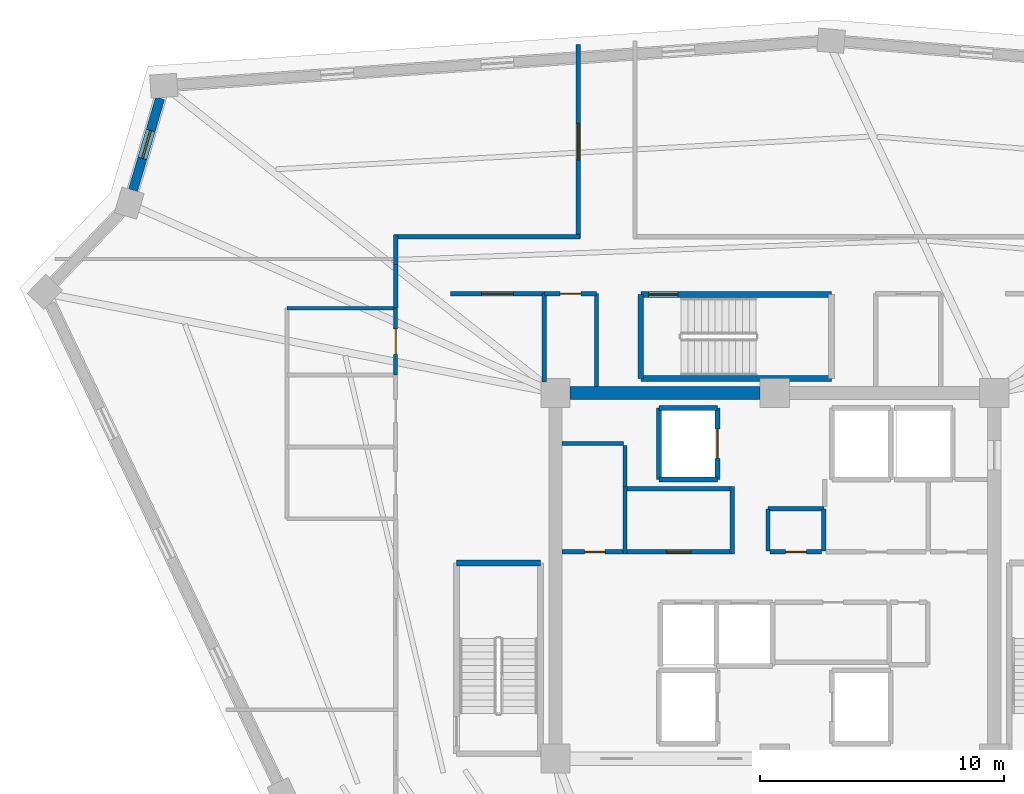
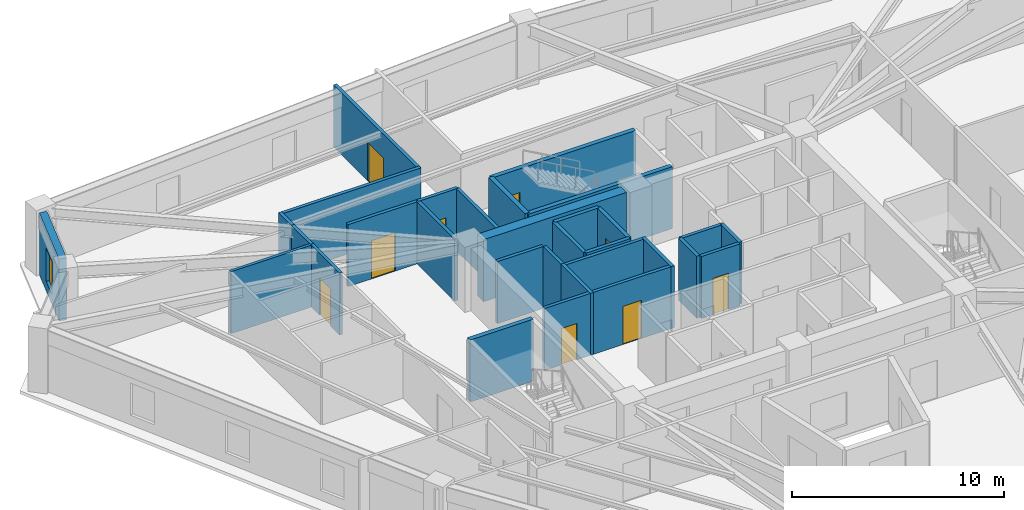
# One storey, part 5 of 8: 31 walls, 9 doors, 1 window, 10 openings.
"""IFC4 building model written with IfcOpenShell, lengths in metres."""

from ifc_helpers import new_model, si_unit, direction, frame, frame_2d, origin, place, context, subcontext, project, spatial, rectangle, extrude, source, transform, mapped, material, layer, layer_set, type_object, element, fill, save


model = new_model("IFC4")

# Units and contexts
model_context = context("Model", 3, precision=1e-05, world=origin(), true_north=direction((0.0, 1.0)))
body_context = subcontext(model_context, "Body", "Model", "MODEL_VIEW")
ifc_project = project(units=[si_unit("LENGTHUNIT", "METRE"), si_unit("AREAUNIT", "SQUARE_METRE"), si_unit("VOLUMEUNIT", "CUBIC_METRE"), si_unit("PLANEANGLEUNIT", "RADIAN"), si_unit("MASSUNIT", "GRAM", prefix="KILO")], contexts=[model_context])

# Site, building, storey
site_placement = place(None, origin())
site = spatial("IfcSite", under=ifc_project, at=site_placement, CompositionType="ELEMENT")
building_placement = place(site_placement, origin())
building = spatial("IfcBuilding", under=site, at=building_placement, Name="Liaohun Quay Tower", CompositionType="ELEMENT")
storey_placement = place(building_placement, frame((0.0, 0.0, 316.5)))
storey = spatial("IfcBuildingStorey", under=building, at=storey_placement, Name="L82", CompositionType="ELEMENT", Elevation=316.5)

# Wall
ifc_material_1 = material(Name="Concrete C50", Category="concrete")
ifc_layer_1 = layer(ifc_material_1, 0.550048828125, Name="Concrete C50", Category="concrete")
ifc_layer_set_1 = layer_set([ifc_layer_1], Name="Concrete C50")
wall_type_1 = type_object("IfcWallType", Name="WAL-COR-Z4", PredefinedType="SHEAR", material=ifc_layer_set_1)
wall_1_placement = place(storey_placement, frame((51.60009765625, 61.5, 0.0), z_axis=(0.0, 0.0, 1.0), x_axis=(1.0, 0.0, 0.0)))
element("IfcWall", 1, at=wall_1_placement, inside=storey, type_object=wall_type_1, Name="L82 Central Core Shear Wall N-W", PredefinedType="SHEAR", context=body_context, shape_type="SweptSolid", body=[
    extrude(rectangle(XDim=7.7998046875, YDim=0.550048828125, at=frame_2d((3.89990234375, 0.0))), origin(), (0.0, 0.0, 1.0), 3.570068359375),
])

# Wall, opening, window
ifc_material_2 = material(Name="Precast concrete C50 insulated sandwich", Category="concrete")
ifc_layer_2 = layer(ifc_material_2, 0.3798828125, Name="Precast concrete C50 insulated sandwich", Category="concrete")
ifc_layer_set_2 = layer_set([ifc_layer_2], Name="Precast concrete C50 insulated sandwich")
wall_type_2 = type_object("IfcWallType", Name="WAL-EXT-Z34", PredefinedType="SOLIDWALL", material=ifc_layer_set_2)
wall_2_placement = place(storey_placement, frame((34.77197265625, 73.591064453125, 0.0), z_axis=(0.0, 0.0, 1.0), x_axis=(-0.282434871617, -0.959286476134, 0.0)))
wall_2 = element("IfcWall", 2, at=wall_2_placement, inside=storey, type_object=wall_type_2, Name="L82 Brutalist Precast Pier Wall 08", PredefinedType="SOLIDWALL", context=body_context, shape_type="SweptSolid", body=[
    extrude(rectangle(XDim=3.9375, YDim=0.3798828125, at=frame_2d((1.96875, 0.0))), origin(), (0.0, 0.0, 1.0), 3.570068359375),
])
shared_shape_1 = source(origin(), body_context, "Body", "SweptSolid", [
    extrude(rectangle(XDim=1.199951171875, YDim=1.89990234375, at=frame_2d((0.60009765625, 0.949951171875))), frame((0.0, 0.199951171875, 0.0), z_axis=(0.0, -1.0, 0.0), x_axis=(1.0, 0.0, 0.0)), (0.0, 0.0, 1.0), 0.39990234375),
])
opening_1_placement = place(wall_2_placement, frame((1.368896484375, 0.0, 0.550048828125)))
opening_1 = element("IfcOpeningElement", 3, at=opening_1_placement, cuts=wall_2, Name="Opening W05", PredefinedType="OPENING", context=body_context, shape_type="MappedRepresentation", body=[
    mapped(shared_shape_1, transform((0.0, 0.0, 0.0), x_axis=(1.0, 0.0, 0.0), y_axis=(0.0, 1.0, 0.0), z_axis=(0.0, 0.0, 1.0), scale=1.0)),
])
ifc_material_3 = material(Name="Triple Low-E corner notch glazing", Category="glass")
window_type = type_object("IfcWindowType", Name="WIN-NOTCH", PartitioningType="SINGLE_PANEL", PredefinedType="WINDOW", material=ifc_material_3)
shared_shape_2 = source(origin(), body_context, "Body", "SweptSolid", [
    extrude(rectangle(XDim=1.199951171875, YDim=1.89990234375, at=frame_2d((0.60009765625, 0.949951171875))), frame((0.0, 0.030029296875, 0.0), z_axis=(0.0, -1.0, 0.0), x_axis=(1.0, 0.0, 0.0)), (0.0, 0.0, 1.0), 0.06005859375),
])
window_placement = place(opening_1_placement, origin())
window = element("IfcWindow", 4, at=window_placement, inside=storey, type_object=window_type, Name="L82 Corner Notch Window W05-08", OverallHeight=1.89990234375, OverallWidth=1.199951171875, PartitioningType="SINGLE_PANEL", PredefinedType="WINDOW", context=body_context, shape_type="MappedRepresentation", body=[
    mapped(shared_shape_2, transform((0.0, 0.0, 0.0), x_axis=(1.0, 0.0, 0.0), y_axis=(0.0, 1.0, 0.0), z_axis=(0.0, 0.0, 1.0), scale=1.0)),
])
fill(opening_1, window)

# Wall, opening, door
ifc_material_4 = material(Name="Autoclaved aerated concrete blockwork", Category="masonry")
ifc_layer_3 = layer(ifc_material_4, 0.179931640625, Name="Autoclaved aerated concrete blockwork", Category="masonry")
ifc_layer_set_3 = layer_set([ifc_layer_3], Name="Autoclaved aerated concrete blockwork")
wall_type_3 = type_object("IfcWallType", Name="WAL-PRT-COR", PredefinedType="PARTITIONING", material=ifc_layer_set_3)
wall_3_placement = place(storey_placement, frame((53.93994140625, 54.97998046875, 0.0), z_axis=(0.0, 0.0, 1.0), x_axis=(1.0, 0.0, 0.0)))
wall_3 = element("IfcWall", 5, at=wall_3_placement, inside=storey, type_object=wall_type_3, Name="L82 Interior Partition Wall 002", PredefinedType="PARTITIONING", context=body_context, shape_type="SweptSolid", body=[
    extrude(rectangle(XDim=4.219970703125, YDim=0.179931640625, at=frame_2d((2.10986328125, 0.0))), origin(), (0.0, 0.0, 1.0), 3.570068359375),
])
shared_shape_3 = source(origin(), body_context, "Body", "SweptSolid", [
    extrude(rectangle(XDim=1.0, YDim=2.199951171875, at=frame_2d((0.5, 1.10009765625))), frame((0.0, 0.099853515625, 0.0), z_axis=(0.0, -1.0, 0.0), x_axis=(1.0, 0.0, 0.0)), (0.0, 0.0, 1.0), 0.199951171875),
])
opening_2_placement = place(wall_3_placement, frame((1.610107421875, 0.0, 0.0)))
opening_2 = element("IfcOpeningElement", 6, at=opening_2_placement, cuts=wall_3, Name="Opening OD1", PredefinedType="OPENING", context=body_context, shape_type="MappedRepresentation", body=[
    mapped(shared_shape_3, transform((0.0, 0.0, 0.0), x_axis=(1.0, 0.0, 0.0), y_axis=(0.0, 1.0, 0.0), z_axis=(0.0, 0.0, 1.0), scale=1.0)),
])
ifc_material_5 = material(Name="Solid-core oak veneer timber leaf in steel frame", Category="steel")
door_type_1 = type_object("IfcDoorType", Name="DOR-OFF-1000", OperationType="NOTDEFINED", PredefinedType="DOOR", material=ifc_material_5)
shared_shape_4 = source(origin(), body_context, "Body", "SweptSolid", [
    extrude(rectangle(XDim=1.0, YDim=2.199951171875, at=frame_2d((0.5, 1.10009765625))), frame((0.0, 0.02490234375, 0.0), z_axis=(0.0, -1.0, 0.0), x_axis=(1.0, 0.0, 0.0)), (0.0, 0.0, 1.0), 0.050048828125),
])
door_1_placement = place(opening_2_placement, origin())
door_1 = element("IfcDoor", 7, at=door_1_placement, inside=storey, type_object=door_type_1, Name="L82 Core Staff Pantry and Tea Room Door", OperationType="SINGLE_SWING_RIGHT", OverallHeight=2.199951171875, OverallWidth=1.0, PredefinedType="DOOR", context=body_context, shape_type="MappedRepresentation", body=[
    mapped(shared_shape_4, transform((0.0, 0.0, 0.0), x_axis=(1.0, 0.0, 0.0), y_axis=(0.0, 1.0, 0.0), z_axis=(0.0, 0.0, 1.0), scale=1.0)),
])
fill(opening_2, door_1)

wall_4_placement = place(storey_placement, frame((51.27490234375, 54.97998046875, 0.0), z_axis=(0.0, 0.0, 1.0), x_axis=(1.0, 0.0, 0.0)))
wall_4 = element("IfcWall", 8, at=wall_4_placement, inside=storey, type_object=wall_type_3, Name="L82 Interior Partition Wall 003", PredefinedType="PARTITIONING", context=body_context, shape_type="SweptSolid", body=[
    extrude(rectangle(XDim=2.485107421875, YDim=0.179931640625, at=frame_2d((1.24267578125, 0.0))), origin(), (0.0, 0.0, 1.0), 3.570068359375),
])
shared_shape_5 = source(origin(), body_context, "Body", "SweptSolid", [
    extrude(rectangle(XDim=0.85009765625, YDim=2.10009765625, at=frame_2d((0.425048828125, 1.050048828125))), frame((0.0, 0.099853515625, 0.0), z_axis=(0.0, -1.0, 0.0), x_axis=(1.0, 0.0, 0.0)), (0.0, 0.0, 1.0), 0.199951171875),
])
opening_3_placement = place(wall_4_placement, frame((0.9150390625, 0.0, 0.0)))
opening_3 = element("IfcOpeningElement", 9, at=opening_3_placement, cuts=wall_4, Name="Opening AD1", PredefinedType="OPENING", context=body_context, shape_type="MappedRepresentation", body=[
    mapped(shared_shape_5, transform((0.0, 0.0, 0.0), x_axis=(1.0, 0.0, 0.0), y_axis=(0.0, 1.0, 0.0), z_axis=(0.0, 0.0, 1.0), scale=1.0)),
])
ifc_material_6 = material(Name="Steel riser inspection fire door", Category="steel")
door_type_2 = type_object("IfcDoorType", Name="DOR-SHF-850", OperationType="NOTDEFINED", PredefinedType="DOOR", material=ifc_material_6)
shared_shape_6 = source(origin(), body_context, "Body", "SweptSolid", [
    extrude(rectangle(XDim=0.85009765625, YDim=2.10009765625, at=frame_2d((0.425048828125, 1.050048828125))), frame((0.0, 0.02490234375, 0.0), z_axis=(0.0, -1.0, 0.0), x_axis=(1.0, 0.0, 0.0)), (0.0, 0.0, 1.0), 0.050048828125),
])
door_2_placement = place(opening_3_placement, origin())
door_2 = element("IfcDoor", 10, at=door_2_placement, inside=storey, type_object=door_type_2, Name="L82 Core High-Zone Archive and Riser Store Door", OperationType="SINGLE_SWING_LEFT", OverallHeight=2.10009765625, OverallWidth=0.85009765625, PredefinedType="DOOR", context=body_context, shape_type="MappedRepresentation", body=[
    mapped(shared_shape_6, transform((0.0, 0.0, 0.0), x_axis=(1.0, 0.0, 0.0), y_axis=(0.0, 1.0, 0.0), z_axis=(0.0, 0.0, 1.0), scale=1.0)),
])
fill(opening_3, door_2)

wall_5_placement = place(storey_placement, frame((59.81005859375, 54.97998046875, 0.0), z_axis=(0.0, 0.0, 1.0), x_axis=(1.0, 0.0, 0.0)))
wall_5 = element("IfcWall", 11, at=wall_5_placement, inside=storey, type_object=wall_type_3, Name="L82 Interior Partition Wall 006", PredefinedType="PARTITIONING", context=body_context, shape_type="SweptSolid", body=[
    extrude(rectangle(XDim=2.10986328125, YDim=0.179931640625, at=frame_2d((1.054931640625, 0.0))), origin(), (0.0, 0.0, 1.0), 3.570068359375),
])
opening_4_placement = place(wall_5_placement, frame((0.635009765625, 0.0, 0.0)))
opening_4 = element("IfcOpeningElement", 12, at=opening_4_placement, cuts=wall_5, Name="Opening AD1", PredefinedType="OPENING", context=body_context, shape_type="MappedRepresentation", body=[
    mapped(shared_shape_5, transform((0.0, 0.0, 0.0), x_axis=(1.0, 0.0, 0.0), y_axis=(0.0, 1.0, 0.0), z_axis=(0.0, 0.0, 1.0), scale=1.0)),
])
door_3_placement = place(opening_4_placement, origin())
door_3 = element("IfcDoor", 13, at=door_3_placement, inside=storey, type_object=door_type_2, Name="L82 Electrical Meter Room Door", OperationType="SINGLE_SWING_RIGHT", OverallHeight=2.10009765625, OverallWidth=0.85009765625, PredefinedType="DOOR", context=body_context, shape_type="MappedRepresentation", body=[
    mapped(shared_shape_6, transform((0.0, 0.0, 0.0), x_axis=(1.0, 0.0, 0.0), y_axis=(0.0, 1.0, 0.0), z_axis=(0.0, 0.0, 1.0), scale=1.0)),
])
fill(opening_4, door_3)

wall_6_placement = place(storey_placement, frame((50.5400390625, 65.580078125, 0.0), z_axis=(0.0, 0.0, 1.0), x_axis=(1.0, 0.0, 0.0)))
wall_6 = element("IfcWall", 14, at=wall_6_placement, inside=storey, type_object=wall_type_3, Name="L82 Interior Partition Wall 011", PredefinedType="PARTITIONING", context=body_context, shape_type="SweptSolid", body=[
    extrude(rectangle(XDim=2.139892578125, YDim=0.179931640625, at=frame_2d((1.06982421875, 0.0))), origin(), (0.0, 0.0, 1.0), 3.570068359375),
])
opening_5_placement = place(wall_6_placement, frame((0.64501953125, 0.0, 0.0)))
opening_5 = element("IfcOpeningElement", 15, at=opening_5_placement, cuts=wall_6, Name="Opening AD1", PredefinedType="OPENING", context=body_context, shape_type="MappedRepresentation", body=[
    mapped(shared_shape_5, transform((0.0, 0.0, 0.0), x_axis=(1.0, 0.0, 0.0), y_axis=(0.0, 1.0, 0.0), z_axis=(0.0, 0.0, 1.0), scale=1.0)),
])
door_4_placement = place(opening_5_placement, origin())
door_4 = element("IfcDoor", 16, at=door_4_placement, inside=storey, type_object=door_type_2, Name="L82 North-West Supply Store Door", OperationType="SINGLE_SWING_LEFT", OverallHeight=2.10009765625, OverallWidth=0.85009765625, PredefinedType="DOOR", context=body_context, shape_type="MappedRepresentation", body=[
    mapped(shared_shape_6, transform((0.0, 0.0, 0.0), x_axis=(1.0, 0.0, 0.0), y_axis=(0.0, 1.0, 0.0), z_axis=(0.0, 0.0, 1.0), scale=1.0)),
])
fill(opening_5, door_4)

wall_7_placement = place(storey_placement, frame((46.699951171875, 65.580078125, 0.0), z_axis=(0.0, 0.0, 1.0), x_axis=(1.0, 0.0, 0.0)))
wall_7 = element("IfcWall", 17, at=wall_7_placement, inside=storey, type_object=wall_type_3, Name="L82 Interior Partition Wall 013", PredefinedType="PARTITIONING", context=body_context, shape_type="SweptSolid", body=[
    extrude(rectangle(XDim=3.840087890625, YDim=0.179931640625, at=frame_2d((1.919921875, 0.0))), origin(), (0.0, 0.0, 1.0), 3.570068359375),
])
shared_shape_7 = source(origin(), body_context, "Body", "SweptSolid", [
    extrude(rectangle(XDim=1.300048828125, YDim=2.199951171875, at=frame_2d((0.64990234375, 1.10009765625))), frame((0.0, 0.099853515625, 0.0), z_axis=(0.0, -1.0, 0.0), x_axis=(1.0, 0.0, 0.0)), (0.0, 0.0, 1.0), 0.199951171875),
])
opening_6_placement = place(wall_7_placement, frame((1.27001953125, 0.0, 0.0)))
opening_6 = element("IfcOpeningElement", 18, at=opening_6_placement, cuts=wall_7, Name="Opening FD1", PredefinedType="OPENING", context=body_context, shape_type="MappedRepresentation", body=[
    mapped(shared_shape_7, transform((0.0, 0.0, 0.0), x_axis=(1.0, 0.0, 0.0), y_axis=(0.0, 1.0, 0.0), z_axis=(0.0, 0.0, 1.0), scale=1.0)),
])
ifc_material_7 = material(Name="Galvanised steel smokeproof fire door", Category="steel")
door_type_3 = type_object("IfcDoorType", Name="DOR-FFL-1300", OperationType="NOTDEFINED", PredefinedType="DOOR", material=ifc_material_7)
shared_shape_8 = source(origin(), body_context, "Body", "SweptSolid", [
    extrude(rectangle(XDim=1.300048828125, YDim=2.199951171875, at=frame_2d((0.64990234375, 1.10009765625))), frame((0.0, 0.02490234375, 0.0), z_axis=(0.0, -1.0, 0.0), x_axis=(1.0, 0.0, 0.0)), (0.0, 0.0, 1.0), 0.050048828125),
])
door_5_placement = place(opening_6_placement, origin())
door_5 = element("IfcDoor", 19, at=door_5_placement, inside=storey, type_object=door_type_3, Name="L82 West Core Vestibule Door", OperationType="SINGLE_SWING_LEFT", OverallHeight=2.199951171875, OverallWidth=1.300048828125, PredefinedType="DOOR", context=body_context, shape_type="MappedRepresentation", body=[
    mapped(shared_shape_8, transform((0.0, 0.0, 0.0), x_axis=(1.0, 0.0, 0.0), y_axis=(0.0, 1.0, 0.0), z_axis=(0.0, 0.0, 1.0), scale=1.0)),
])
fill(opening_6, door_5)

wall_8_placement = place(storey_placement, frame((51.93994140625, 67.840087890625, 0.0), z_axis=(0.0, 0.0, 1.0), x_axis=(0.0, 1.0, 0.0)))
wall_8 = element("IfcWall", 20, at=wall_8_placement, inside=storey, type_object=wall_type_3, Name="L82 Interior Partition Wall 018", PredefinedType="PARTITIONING", context=body_context, shape_type="SweptSolid", body=[
    extrude(rectangle(XDim=7.95703125, YDim=0.179931640625, at=frame_2d((3.978515625, 0.0))), origin(), (0.0, 0.0, 1.0), 3.570068359375),
])
shared_shape_9 = source(origin(), body_context, "Body", "SweptSolid", [
    extrude(rectangle(XDim=1.5, YDim=2.199951171875, at=frame_2d((0.75, 1.10009765625))), frame((0.0, 0.099853515625, 0.0), z_axis=(0.0, -1.0, 0.0), x_axis=(1.0, 0.0, 0.0)), (0.0, 0.0, 1.0), 0.199951171875),
])
opening_7_placement = place(wall_8_placement, frame((3.22802734375, 0.0, 0.0)))
opening_7 = element("IfcOpeningElement", 21, at=opening_7_placement, cuts=wall_8, Name="Opening OD2", PredefinedType="OPENING", context=body_context, shape_type="MappedRepresentation", body=[
    mapped(shared_shape_9, transform((0.0, 0.0, 0.0), x_axis=(1.0, 0.0, 0.0), y_axis=(0.0, 1.0, 0.0), z_axis=(0.0, 0.0, 1.0), scale=1.0)),
])
ifc_material_8 = material(Name="Acoustic oak veneer double door")
door_type_4 = type_object("IfcDoorType", Name="DOR-OFF-1500", OperationType="DOUBLE_DOOR_SINGLE_SWING", PredefinedType="DOOR", material=ifc_material_8)
shared_shape_10 = source(origin(), body_context, "Body", "SweptSolid", [
    extrude(rectangle(XDim=1.5, YDim=2.199951171875, at=frame_2d((0.75, 1.10009765625))), frame((0.0, 0.02490234375, 0.0), z_axis=(0.0, -1.0, 0.0), x_axis=(1.0, 0.0, 0.0)), (0.0, 0.0, 1.0), 0.050048828125),
])
door_6_placement = place(opening_7_placement, origin())
door_6 = element("IfcDoor", 22, at=door_6_placement, inside=storey, type_object=door_type_4, Name="L82 Project Collaboration Studio 04 Door", OperationType="DOUBLE_DOOR_SINGLE_SWING", OverallHeight=2.199951171875, OverallWidth=1.5, PredefinedType="DOOR", context=body_context, shape_type="MappedRepresentation", body=[
    mapped(shared_shape_10, transform((0.0, 0.0, 0.0), x_axis=(1.0, 0.0, 0.0), y_axis=(0.0, 1.0, 0.0), z_axis=(0.0, 0.0, 1.0), scale=1.0)),
])
fill(opening_7, door_6)

# Walls
wall_9_placement = place(storey_placement, frame((51.27490234375, 59.429931640625, 0.0), z_axis=(0.0, 0.0, 1.0), x_axis=(1.0, 0.0, 0.0)))
element("IfcWall", 23, at=wall_9_placement, inside=storey, type_object=wall_type_3, Name="L82 Interior Partition Wall 024", PredefinedType="PARTITIONING", context=body_context, shape_type="SweptSolid", body=[
    extrude(rectangle(XDim=2.505126953125, YDim=0.179931640625, at=frame_2d((1.25244140625, 0.0))), origin(), (0.0, 0.0, 1.0), 3.570068359375),
])
for number, where, z_axis, x_axis, name in (
    (24, (59.719970703125, 55.02001953125, 0.0), (0.0, 0.0, 1.0), (0.0, 1.0, 0.0), "L82 Interior Partition Wall 026"),
    (25, (62.010009765625, 55.02001953125, 0.0), (0.0, 0.0, 1.0), (0.0, 1.0, 0.0), "L82 Interior Partition Wall 027"),
):
    element("IfcWall", number, at=place(storey_placement, frame(where, z_axis=z_axis, x_axis=x_axis)), inside=storey, type_object=wall_type_3, Name=name, PredefinedType="PARTITIONING", context=body_context, shape_type="SweptSolid", body=[
        extrude(rectangle(XDim=1.72998046875, YDim=0.179931640625, at=frame_2d((0.864990234375, 0.0))), origin(), (0.0, 0.0, 1.0), 3.570068359375),
    ])
wall_10_placement = place(storey_placement, frame((59.719970703125, 56.75, 0.0), z_axis=(0.0, 0.0, 1.0), x_axis=(1.0, 0.0, 0.0)))
element("IfcWall", 26, at=wall_10_placement, inside=storey, type_object=wall_type_3, Name="L82 Interior Partition Wall 028", PredefinedType="PARTITIONING", context=body_context, shape_type="SweptSolid", body=[
    extrude(rectangle(XDim=2.2900390625, YDim=0.179931640625, at=frame_2d((1.14501953125, 0.0))), origin(), (0.0, 0.0, 1.0), 3.570068359375),
])
wall_11_placement = place(storey_placement, frame((50.5400390625, 61.949951171875, 0.0), z_axis=(0.0, 0.0, 1.0), x_axis=(0.0, 1.0, 0.0)))
element("IfcWall", 27, at=wall_11_placement, inside=storey, type_object=wall_type_3, Name="L82 Interior Partition Wall 037", PredefinedType="PARTITIONING", context=body_context, shape_type="SweptSolid", body=[
    extrude(rectangle(XDim=3.630126953125, YDim=0.179931640625, at=frame_2d((1.81494140625, 0.0))), origin(), (0.0, 0.0, 1.0), 3.570068359375),
])
wall_12_placement = place(storey_placement, frame((52.679931640625, 61.77490234375, 0.0), z_axis=(0.0, 0.0, 1.0), x_axis=(0.0, 1.0, 0.0)))
element("IfcWall", 28, at=wall_12_placement, inside=storey, type_object=wall_type_3, Name="L82 Interior Partition Wall 038", PredefinedType="PARTITIONING", context=body_context, shape_type="SweptSolid", body=[
    extrude(rectangle(XDim=3.80517578125, YDim=0.179931640625, at=frame_2d((1.902587890625, 0.0))), origin(), (0.0, 0.0, 1.0), 3.570068359375),
])
wall_13_placement = place(storey_placement, frame((44.3701171875, 67.909912109375, 0.0), z_axis=(0.0, 0.0, 1.0), x_axis=(1.0, 0.0, 0.0)))
element("IfcWall", 29, at=wall_13_placement, inside=storey, type_object=wall_type_3, Name="L82 Interior Partition Wall 044", PredefinedType="PARTITIONING", context=body_context, shape_type="SweptSolid", body=[
    extrude(rectangle(XDim=7.639892578125, YDim=0.179931640625, at=frame_2d((3.81982421875, 0.0))), origin(), (0.0, 0.0, 1.0), 3.570068359375),
])
wall_14_placement = place(storey_placement, frame((44.43994140625, 66.784912109375, 0.0), z_axis=(0.0, 0.0, 1.0), x_axis=(0.0, 1.0, 0.0)))
element("IfcWall", 30, at=wall_14_placement, inside=storey, type_object=wall_type_3, Name="L82 Interior Partition Wall 045", PredefinedType="PARTITIONING", context=body_context, shape_type="SweptSolid", body=[
    extrude(rectangle(XDim=1.195068359375, YDim=0.179931640625, at=frame_2d((0.59765625, 0.0))), origin(), (0.0, 0.0, 1.0), 3.570068359375),
])
wall_15_placement = place(storey_placement, frame((44.43994140625, 64.97998046875, 0.0), z_axis=(0.0, 0.0, 1.0), x_axis=(0.0, 1.0, 0.0)))
element("IfcWall", 31, at=wall_15_placement, inside=storey, type_object=wall_type_3, Name="L82 Interior Partition Wall 046", PredefinedType="PARTITIONING", context=body_context, shape_type="SweptSolid", body=[
    extrude(rectangle(XDim=1.804931640625, YDim=0.179931640625, at=frame_2d((0.90234375, 0.0))), origin(), (0.0, 0.0, 1.0), 3.570068359375),
])
for number, where, z_axis, x_axis, name in (
    (32, (53.85009765625, 54.889892578125, 0.0), (0.0, 0.0, 1.0), (0.0, 1.0, 0.0), "L82 Interior Partition Wall 058"),
    (33, (58.25, 54.889892578125, 0.0), (0.0, 0.0, 1.0), (0.0, 1.0, 0.0), "L82 Interior Partition Wall 059"),
):
    element("IfcWall", number, at=place(storey_placement, frame(where, z_axis=z_axis, x_axis=x_axis)), inside=storey, type_object=wall_type_3, Name=name, PredefinedType="PARTITIONING", context=body_context, shape_type="SweptSolid", body=[
        extrude(rectangle(XDim=2.780029296875, YDim=0.179931640625, at=frame_2d((1.39013671875, 0.0))), origin(), (0.0, 0.0, 1.0), 3.570068359375),
    ])
wall_16_placement = place(storey_placement, frame((53.93994140625, 57.580078125, 0.0), z_axis=(0.0, 0.0, 1.0), x_axis=(1.0, 0.0, 0.0)))
element("IfcWall", 34, at=wall_16_placement, inside=storey, type_object=wall_type_3, Name="L82 Interior Partition Wall 060", PredefinedType="PARTITIONING", context=body_context, shape_type="SweptSolid", body=[
    extrude(rectangle(XDim=4.219970703125, YDim=0.179931640625, at=frame_2d((2.10986328125, 0.0))), origin(), (0.0, 0.0, 1.0), 3.570068359375),
])
wall_17_placement = place(storey_placement, frame((53.85009765625, 57.669921875, 0.0), z_axis=(0.0, 0.0, 1.0), x_axis=(0.0, 1.0, 0.0)))
element("IfcWall", 35, at=wall_17_placement, inside=storey, type_object=wall_type_3, Name="L82 Interior Partition Wall 061", PredefinedType="PARTITIONING", context=body_context, shape_type="SweptSolid", body=[
    extrude(rectangle(XDim=1.670166015625, YDim=0.179931640625, at=frame_2d((0.8349609375, 0.0))), origin(), (0.0, 0.0, 1.0), 3.570068359375),
])

# Wall, opening, door
ifc_material_9 = material(Name="Moisture-resistant masonry blockwork", Category="masonry")
ifc_layer_4 = layer(ifc_material_9, 0.159912109375, Name="Moisture-resistant masonry blockwork", Category="masonry")
ifc_layer_set_4 = layer_set([ifc_layer_4], Name="Moisture-resistant masonry blockwork")
wall_type_4 = type_object("IfcWallType", Name="WAL-PRT-WET", PredefinedType="PARTITIONING", material=ifc_layer_set_4)
wall_18_placement = place(storey_placement, frame((44.43994140625, 62.239990234375, 0.0), z_axis=(0.0, 0.0, 1.0), x_axis=(0.0, 1.0, 0.0)))
wall_18 = element("IfcWall", 36, at=wall_18_placement, inside=storey, type_object=wall_type_4, Name="L82 Interior Partition Wall 010", PredefinedType="PARTITIONING", context=body_context, shape_type="SweptSolid", body=[
    extrude(rectangle(XDim=2.739990234375, YDim=0.159912109375, at=frame_2d((1.3701171875, 0.0))), origin(), (0.0, 0.0, 1.0), 3.570068359375),
])
shared_shape_11 = source(origin(), body_context, "Body", "SweptSolid", [
    extrude(rectangle(XDim=1.050048828125, YDim=2.14990234375, at=frame_2d((0.52490234375, 1.074951171875))), frame((0.0, 0.08984375, 0.0), z_axis=(0.0, -1.0, 0.0), x_axis=(1.0, 0.0, 0.0)), (0.0, 0.0, 1.0), 0.179931640625),
])
opening_8_placement = place(wall_18_placement, frame((0.844970703125, 0.0, 0.0)))
opening_8 = element("IfcOpeningElement", 37, at=opening_8_placement, cuts=wall_18, Name="Opening WD2", PredefinedType="OPENING", context=body_context, shape_type="MappedRepresentation", body=[
    mapped(shared_shape_11, transform((0.0, 0.0, 0.0), x_axis=(1.0, 0.0, 0.0), y_axis=(0.0, 1.0, 0.0), z_axis=(0.0, 0.0, 1.0), scale=1.0)),
])
ifc_material_10 = material(Name="Accessible outward-swinging laminate door")
door_type_5 = type_object("IfcDoorType", Name="DOR-AWC-1050", OperationType="NOTDEFINED", PredefinedType="DOOR", material=ifc_material_10)
shared_shape_12 = source(origin(), body_context, "Body", "SweptSolid", [
    extrude(rectangle(XDim=1.050048828125, YDim=2.14990234375, at=frame_2d((0.52490234375, 1.074951171875))), frame((0.0, 0.02490234375, 0.0), z_axis=(0.0, -1.0, 0.0), x_axis=(1.0, 0.0, 0.0)), (0.0, 0.0, 1.0), 0.050048828125),
])
door_7_placement = place(opening_8_placement, origin())
door_7 = element("IfcDoor", 38, at=door_7_placement, inside=storey, type_object=door_type_5, Name="L82 Accessible WC Door", OperationType="SINGLE_SWING_RIGHT", OverallHeight=2.14990234375, OverallWidth=1.050048828125, PredefinedType="DOOR", context=body_context, shape_type="MappedRepresentation", body=[
    mapped(shared_shape_12, transform((0.0, 0.0, 0.0), x_axis=(1.0, 0.0, 0.0), y_axis=(0.0, 1.0, 0.0), z_axis=(0.0, 0.0, 1.0), scale=1.0)),
])
fill(opening_8, door_7)

# Walls
wall_19_placement = place(storey_placement, frame((39.97998046875, 64.97998046875, 0.0), z_axis=(0.0, 0.0, 1.0), x_axis=(1.0, 0.0, 0.0)))
element("IfcWall", 39, at=wall_19_placement, inside=storey, type_object=wall_type_4, Name="L82 Interior Partition Wall 036", PredefinedType="PARTITIONING", context=body_context, shape_type="SweptSolid", body=[
    extrude(rectangle(XDim=4.4599609375, YDim=0.159912109375, at=frame_2d((2.22998046875, 0.0))), origin(), (0.0, 0.0, 1.0), 3.570068359375),
])
ifc_layer_5 = layer(ifc_material_1, 0.239990234375, Name="Concrete C50", Category="concrete")
ifc_layer_set_5 = layer_set([ifc_layer_5], Name="Concrete C50")
wall_type_5 = type_object("IfcWallType", Name="WAL-SHF-200", PredefinedType="SOLIDWALL", material=ifc_layer_set_5)
wall_20_placement = place(storey_placement, frame((50.3798828125, 54.52001953125, 0.0), z_axis=(0.0, 0.0, 1.0), x_axis=(-1.0, 0.0, 0.0)))
element("IfcWall", 40, at=wall_20_placement, inside=storey, type_object=wall_type_5, Name="L82 Stairwell ST-1 Structural Core Wall N", PredefinedType="SOLIDWALL", context=body_context, shape_type="SweptSolid", body=[
    extrude(rectangle(XDim=3.43994140625, YDim=0.239990234375, at=frame_2d((1.719970703125, 0.0))), origin(), (0.0, 0.0, 1.0), 3.570068359375),
])
wall_21_placement = place(storey_placement, frame((54.5, 62.10009765625, 0.0), z_axis=(0.0, 0.0, 1.0), x_axis=(1.0, 0.0, 0.0)))
element("IfcWall", 41, at=wall_21_placement, inside=storey, type_object=wall_type_5, Name="L82 Stairwell ST-3 Structural Core Wall S", PredefinedType="SOLIDWALL", context=body_context, shape_type="SweptSolid", body=[
    extrude(rectangle(XDim=7.820068359375, YDim=0.239990234375, at=frame_2d((3.91015625, 0.0))), origin(), (0.0, 0.0, 1.0), 3.570068359375),
])

# Wall, opening, door
wall_22_placement = place(storey_placement, frame((62.320068359375, 65.5400390625, 0.0), z_axis=(0.0, 0.0, 1.0), x_axis=(-1.0, 0.0, 0.0)))
wall_22 = element("IfcWall", 42, at=wall_22_placement, inside=storey, type_object=wall_type_5, Name="L82 Stairwell ST-3 Structural Core Wall N", PredefinedType="SOLIDWALL", context=body_context, shape_type="SweptSolid", body=[
    extrude(rectangle(XDim=7.820068359375, YDim=0.239990234375, at=frame_2d((3.91015625, 0.0))), origin(), (0.0, 0.0, 1.0), 3.570068359375),
])
shared_shape_13 = source(origin(), body_context, "Body", "SweptSolid", [
    extrude(rectangle(XDim=1.199951171875, YDim=2.199951171875, at=frame_2d((0.60009765625, 1.10009765625))), frame((0.0, 0.1298828125, 0.0), z_axis=(0.0, -1.0, 0.0), x_axis=(1.0, 0.0, 0.0)), (0.0, 0.0, 1.0), 0.260009765625),
])
opening_9_placement = place(wall_22_placement, frame((6.300048828125, 0.0, 0.0)))
opening_9 = element("IfcOpeningElement", 43, at=opening_9_placement, cuts=wall_22, Name="Opening SD1", PredefinedType="OPENING", context=body_context, shape_type="MappedRepresentation", body=[
    mapped(shared_shape_13, transform((0.0, 0.0, 0.0), x_axis=(1.0, 0.0, 0.0), y_axis=(0.0, 1.0, 0.0), z_axis=(0.0, 0.0, 1.0), scale=1.0)),
])
ifc_material_11 = material(Name="Galvanised steel fire door", Category="steel")
door_type_6 = type_object("IfcDoorType", Name="DOR-STR-1200", OperationType="NOTDEFINED", PredefinedType="DOOR", material=ifc_material_11)
shared_shape_14 = source(origin(), body_context, "Body", "SweptSolid", [
    extrude(rectangle(XDim=1.199951171875, YDim=2.199951171875, at=frame_2d((0.60009765625, 1.10009765625))), frame((0.0, 0.02490234375, 0.0), z_axis=(0.0, -1.0, 0.0), x_axis=(1.0, 0.0, 0.0)), (0.0, 0.0, 1.0), 0.050048828125),
])
door_8_placement = place(opening_9_placement, origin())
door_8 = element("IfcDoor", 44, at=door_8_placement, inside=storey, type_object=door_type_6, Name="L82 Protected Stair ST-3 Fire Door", OperationType="SINGLE_SWING_RIGHT", OverallHeight=2.199951171875, OverallWidth=1.199951171875, PredefinedType="DOOR", context=body_context, shape_type="MappedRepresentation", body=[
    mapped(shared_shape_14, transform((0.0, 0.0, 0.0), x_axis=(1.0, 0.0, 0.0), y_axis=(0.0, 1.0, 0.0), z_axis=(0.0, 0.0, 1.0), scale=1.0)),
])
fill(opening_9, door_8)

# Walls
wall_23_placement = place(storey_placement, frame((54.5, 65.5400390625, 0.0), z_axis=(0.0, 0.0, 1.0), x_axis=(0.0, -1.0, 0.0)))
element("IfcWall", 45, at=wall_23_placement, inside=storey, type_object=wall_type_5, Name="L82 Stairwell ST-3 Structural Core Wall W", PredefinedType="SOLIDWALL", context=body_context, shape_type="SweptSolid", body=[
    extrude(rectangle(XDim=3.43994140625, YDim=0.239990234375, at=frame_2d((1.719970703125, 0.0))), origin(), (0.0, 0.0, 1.0), 3.570068359375),
])
wall_24_placement = place(storey_placement, frame((55.25, 57.949951171875, 0.0), z_axis=(0.0, 0.0, 1.0), x_axis=(1.0, 0.0, 0.0)))
element("IfcWall", 46, at=wall_24_placement, inside=storey, type_object=wall_type_5, Name="L82 Lift FF-03 Hoistway Wall S", PredefinedType="SOLIDWALL", context=body_context, shape_type="SweptSolid", body=[
    extrude(rectangle(XDim=2.39990234375, YDim=0.199951171875, at=frame_2d((1.199951171875, 0.0))), origin(), (0.0, 0.0, 1.0), 3.570068359375),
])

# Wall, opening, door
wall_25_placement = place(storey_placement, frame((57.64990234375, 57.949951171875, 0.0), z_axis=(0.0, 0.0, 1.0), x_axis=(0.0, 1.0, 0.0)))
wall_25 = element("IfcWall", 47, at=wall_25_placement, inside=storey, type_object=wall_type_5, Name="L82 Lift FF-03 Hoistway Wall E", PredefinedType="SOLIDWALL", context=body_context, shape_type="SweptSolid", body=[
    extrude(rectangle(XDim=2.929931640625, YDim=0.199951171875, at=frame_2d((1.46484375, 0.0))), origin(), (0.0, 0.0, 1.0), 3.570068359375),
])
shared_shape_15 = source(origin(), body_context, "Body", "SweptSolid", [
    extrude(rectangle(XDim=1.199951171875, YDim=2.300048828125, at=frame_2d((0.60009765625, 1.14990234375))), frame((0.0, 0.10986328125, 0.0), z_axis=(0.0, -1.0, 0.0), x_axis=(1.0, 0.0, 0.0)), (0.0, 0.0, 1.0), 0.219970703125),
])
opening_10_placement = place(wall_25_placement, frame((0.864990234375, 0.0, 0.0)))
opening_10 = element("IfcOpeningElement", 48, at=opening_10_placement, cuts=wall_25, Name="Opening LD2", PredefinedType="OPENING", context=body_context, shape_type="MappedRepresentation", body=[
    mapped(shared_shape_15, transform((0.0, 0.0, 0.0), x_axis=(1.0, 0.0, 0.0), y_axis=(0.0, 1.0, 0.0), z_axis=(0.0, 0.0, 1.0), scale=1.0)),
])
ifc_material_12 = material(Name="Brushed stainless steel stretcher landing door", Category="steel")
door_type_7 = type_object("IfcDoorType", Name="DOR-LFT-1200", OperationType="SLIDING_TO_LEFT", PredefinedType="DOOR", material=ifc_material_12)
shared_shape_16 = source(origin(), body_context, "Body", "SweptSolid", [
    extrude(rectangle(XDim=1.199951171875, YDim=2.300048828125, at=frame_2d((0.60009765625, 1.14990234375))), frame((0.0, 0.02490234375, 0.0), z_axis=(0.0, -1.0, 0.0), x_axis=(1.0, 0.0, 0.0)), (0.0, 0.0, 1.0), 0.050048828125),
])
door_9_placement = place(opening_10_placement, origin())
door_9 = element("IfcDoor", 49, at=door_9_placement, inside=storey, type_object=door_type_7, Name="L82 Lift FF-03 Sliding Landing Door", OperationType="SLIDING_TO_LEFT", OverallHeight=2.300048828125, OverallWidth=1.199951171875, PredefinedType="DOOR", context=body_context, shape_type="MappedRepresentation", body=[
    mapped(shared_shape_16, transform((0.0, 0.0, 0.0), x_axis=(1.0, 0.0, 0.0), y_axis=(0.0, 1.0, 0.0), z_axis=(0.0, 0.0, 1.0), scale=1.0)),
])
fill(opening_10, door_9)

# Walls
wall_26_placement = place(storey_placement, frame((57.64990234375, 60.8798828125, 0.0), z_axis=(0.0, 0.0, 1.0), x_axis=(-1.0, 0.0, 0.0)))
element("IfcWall", 50, at=wall_26_placement, inside=storey, type_object=wall_type_5, Name="L82 Lift FF-03 Hoistway Wall N", PredefinedType="SOLIDWALL", context=body_context, shape_type="SweptSolid", body=[
    extrude(rectangle(XDim=2.39990234375, YDim=0.199951171875, at=frame_2d((1.199951171875, 0.0))), origin(), (0.0, 0.0, 1.0), 3.570068359375),
])
wall_27_placement = place(storey_placement, frame((55.25, 60.8798828125, 0.0), z_axis=(0.0, 0.0, 1.0), x_axis=(0.0, -1.0, 0.0)))
element("IfcWall", 51, at=wall_27_placement, inside=storey, type_object=wall_type_5, Name="L82 Lift FF-03 Hoistway Wall W", PredefinedType="SOLIDWALL", context=body_context, shape_type="SweptSolid", body=[
    extrude(rectangle(XDim=2.929931640625, YDim=0.199951171875, at=frame_2d((1.46484375, 0.0))), origin(), (0.0, 0.0, 1.0), 3.570068359375),
])

save(model, "model.ifc")
